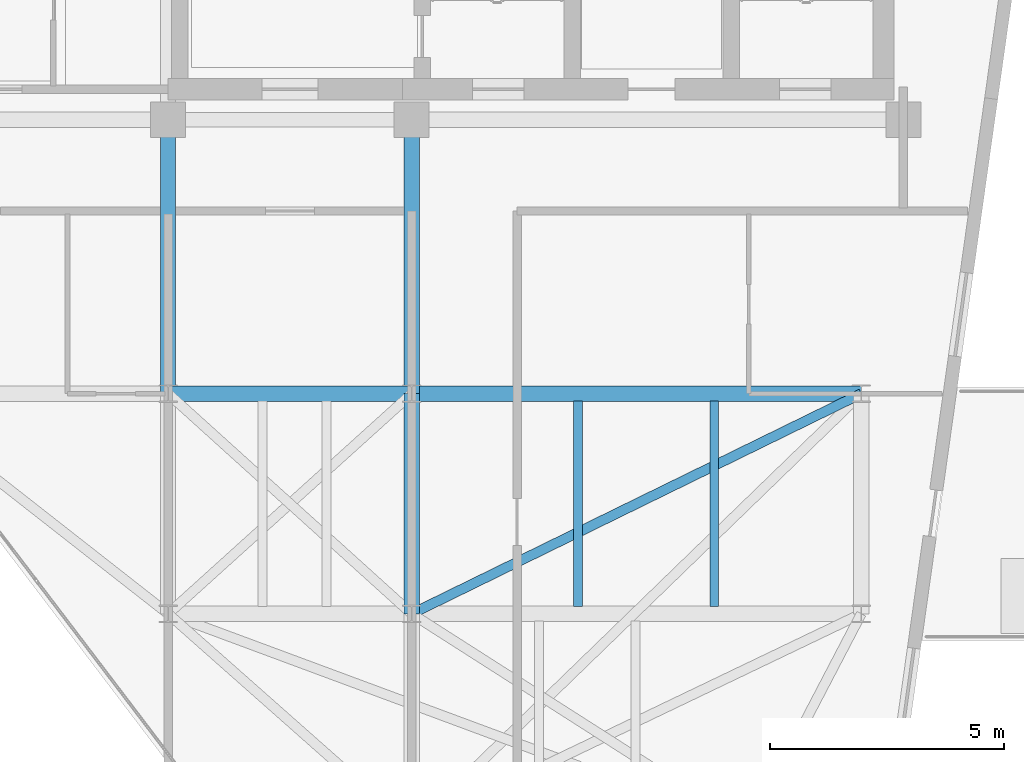
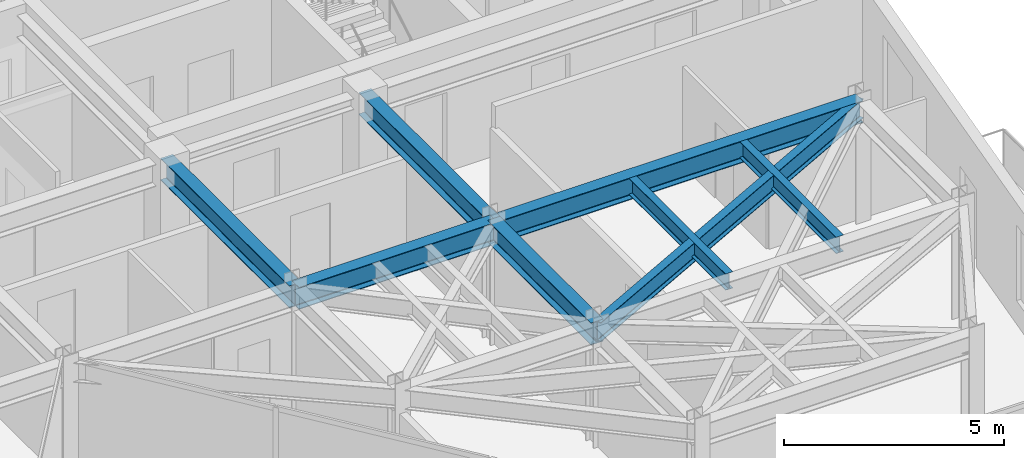
# One storey, part 9 of 17: 8 beams.
"""IFC4 building model written with IfcOpenShell, lengths in metres."""

from ifc_helpers import new_model, si_unit, direction, frame, origin, origin_2d, place, context, subcontext, project, spatial, i_section, extrude, material, material_profile, profile_set, type_object, element, save


model = new_model("IFC4")

# Units and contexts
model_context = context("Model", 3, precision=1e-05, world=origin(), true_north=direction((0.0, 1.0)))
body_context = subcontext(model_context, "Body", "Model", "MODEL_VIEW")
ifc_project = project(units=[si_unit("LENGTHUNIT", "METRE"), si_unit("AREAUNIT", "SQUARE_METRE"), si_unit("VOLUMEUNIT", "CUBIC_METRE"), si_unit("PLANEANGLEUNIT", "RADIAN"), si_unit("MASSUNIT", "GRAM", prefix="KILO")], contexts=[model_context])

# Site, building, storey
site_placement = place(None, origin())
site = spatial("IfcSite", under=ifc_project, at=site_placement, CompositionType="ELEMENT")
building_placement = place(site_placement, origin())
building = spatial("IfcBuilding", under=site, at=building_placement, Name="Kravanh Interchange Tower", CompositionType="ELEMENT")
storey_placement = place(building_placement, frame((0.0, 0.0, 293.10009765625)))
storey = spatial("IfcBuildingStorey", under=building, at=storey_placement, Name="L72", CompositionType="ELEMENT", Elevation=293.10009765625)

# Beams
ifc_material_1 = material(Name="Structural Steel S355", Category="steel")
ifc_material_profile_1 = material_profile(ifc_material_1, i_section(OverallWidth=0.323974609375, OverallDepth=0.611083984375, WebThickness=0.0126953125, FlangeThickness=0.01904296875, FilletRadius=0.02197265625, at=origin_2d()), Name="W24X104")
ifc_profile_set_1 = profile_set([ifc_material_profile_1], Name="Structural Steel S355")
beam_type_1 = type_object("IfcBeamType", Name="Floor Beam W24X104 Structural Steel S355", PredefinedType="BEAM", material=ifc_profile_set_1)
beam_1_placement = place(storey_placement, frame((50.800048828125, 31.5, 3.04443359375), z_axis=(1.0, 0.0, 0.0), x_axis=(0.0, 1.0, 0.0)))
element("IfcBeam", 1, at=beam_1_placement, inside=storey, type_object=beam_type_1, Name="L72 Primary Floor Girder 6", PredefinedType="BEAM", context=body_context, shape_type="SweptSolid", body=[
    extrude(i_section(OverallWidth=0.323974609375, OverallDepth=0.611083984375, WebThickness=0.0126953125, FlangeThickness=0.01904296875, FilletRadius=0.02197265625, at=origin_2d()), origin(), (0.0, 0.0, 1.0), 5.199951171875),
])
beam_2_placement = place(storey_placement, frame((50.800048828125, 31.5, 3.04443359375), z_axis=(0.0, 1.0, 0.0), x_axis=(-1.0, 0.0, 0.0)))
element("IfcBeam", 2, at=beam_2_placement, inside=storey, type_object=beam_type_1, Name="L72 Primary Floor Girder 7", PredefinedType="BEAM", context=body_context, shape_type="SweptSolid", body=[
    extrude(i_section(OverallWidth=0.323974609375, OverallDepth=0.611083984375, WebThickness=0.0126953125, FlangeThickness=0.01904296875, FilletRadius=0.02197265625, at=origin_2d()), origin(), (0.0, 0.0, 1.0), 5.85009765625),
])
beam_3_placement = place(storey_placement, frame((56.0, 31.5, 3.04443359375), z_axis=(0.0, -1.0, 0.0), x_axis=(1.0, 0.0, 0.0)))
element("IfcBeam", 3, at=beam_3_placement, inside=storey, type_object=beam_type_1, Name="L72 Primary Floor Girder 9", PredefinedType="BEAM", context=body_context, shape_type="SweptSolid", body=[
    extrude(i_section(OverallWidth=0.323974609375, OverallDepth=0.611083984375, WebThickness=0.0126953125, FlangeThickness=0.01904296875, FilletRadius=0.02197265625, at=origin_2d()), origin(), (0.0, 0.0, 1.0), 4.699951171875),
])
beam_4_placement = place(storey_placement, frame((56.0, 31.5, 3.04443359375), z_axis=(0.0, 1.0, 0.0), x_axis=(-1.0, 0.0, 0.0)))
element("IfcBeam", 4, at=beam_4_placement, inside=storey, type_object=beam_type_1, Name="L72 Primary Floor Girder 10", PredefinedType="BEAM", context=body_context, shape_type="SweptSolid", body=[
    extrude(i_section(OverallWidth=0.323974609375, OverallDepth=0.611083984375, WebThickness=0.0126953125, FlangeThickness=0.01904296875, FilletRadius=0.02197265625, at=origin_2d()), origin(), (0.0, 0.0, 1.0), 5.85009765625),
])
beam_5_placement = place(storey_placement, frame((56.0, 31.5, 3.04443359375), z_axis=(1.0, 0.0, 0.0), x_axis=(0.0, 1.0, 0.0)))
element("IfcBeam", 5, at=beam_5_placement, inside=storey, type_object=beam_type_1, Name="L72 Primary Floor Girder 12", PredefinedType="BEAM", context=body_context, shape_type="SweptSolid", body=[
    extrude(i_section(OverallWidth=0.323974609375, OverallDepth=0.611083984375, WebThickness=0.0126953125, FlangeThickness=0.01904296875, FilletRadius=0.02197265625, at=origin_2d()), origin(), (0.0, 0.0, 1.0), 9.60009765625),
])
ifc_material_2 = material(Name="Structural Steel S355", Category="steel")
ifc_material_profile_2 = material_profile(ifc_material_2, i_section(OverallWidth=0.18994140625, OverallDepth=0.45703125, WebThickness=0.009033203125, FlangeThickness=0.014404296875, FilletRadius=0.01806640625, at=origin_2d()), Name="W18X50")
ifc_profile_set_2 = profile_set([ifc_material_profile_2], Name="Structural Steel S355")
beam_type_2 = type_object("IfcBeamType", Name="Floor Joist W18X50 Structural Steel S355", PredefinedType="JOIST", material=ifc_profile_set_2)
for number, where, z_axis, x_axis, name in (
    (6, (59.554931640625, 26.95703125, 3.121337890625), (0.0, 1.0, 0.0), (-1.0, 0.0, 0.0), "L72 Secondary Floor Joist 7"),
    (7, (62.4599609375, 26.95703125, 3.121337890625), (0.0, 1.0, 0.0), (-1.0, 0.0, 0.0), "L72 Secondary Floor Joist 8"),
):
    element("IfcBeam", number, at=place(storey_placement, frame(where, z_axis=z_axis, x_axis=x_axis)), inside=storey, type_object=beam_type_2, Name=name, PredefinedType="JOIST", context=body_context, shape_type="SweptSolid", body=[
        extrude(i_section(OverallWidth=0.18994140625, OverallDepth=0.45703125, WebThickness=0.009033203125, FlangeThickness=0.014404296875, FilletRadius=0.01806640625, at=origin_2d()), origin(), (0.0, 0.0, 1.0), 4.385986328125),
    ])
ifc_material_3 = material(Name="Structural Steel S355", Category="steel")
ifc_material_profile_3 = material_profile(ifc_material_3, i_section(OverallWidth=0.2099609375, OverallDepth=0.537109375, WebThickness=0.010986328125, FlangeThickness=0.017333984375, FilletRadius=0.02001953125, at=origin_2d()), Name="W21X68")
ifc_profile_set_3 = profile_set([ifc_material_profile_3], Name="Structural Steel S355")
beam_type_3 = type_object("IfcBeamType", Name="Floor Spandrel W21X68 Structural Steel S355", PredefinedType="SPANDREL", material=ifc_profile_set_3)
beam_6_placement = place(storey_placement, frame((65.60009765625, 31.5, 3.081298828125), z_axis=(-0.898141688387, -0.439706160499, 0.0), x_axis=(0.439706160499, -0.898141688387, 0.0)))
element("IfcBeam", 8, at=beam_6_placement, inside=storey, type_object=beam_type_3, Name="L72 Perimeter Spandrel 15", PredefinedType="SPANDREL", context=body_context, shape_type="SweptSolid", body=[
    extrude(i_section(OverallWidth=0.2099609375, OverallDepth=0.537109375, WebThickness=0.010986328125, FlangeThickness=0.017333984375, FilletRadius=0.02001953125, at=origin_2d()), origin(), (0.0, 0.0, 1.0), 10.68896484375),
])

save(model, "model.ifc")
